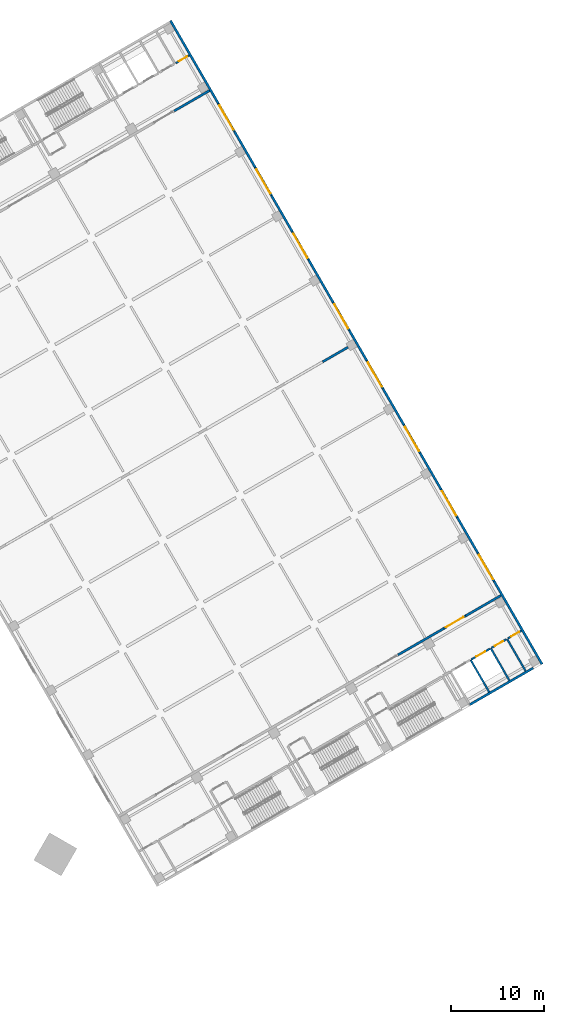
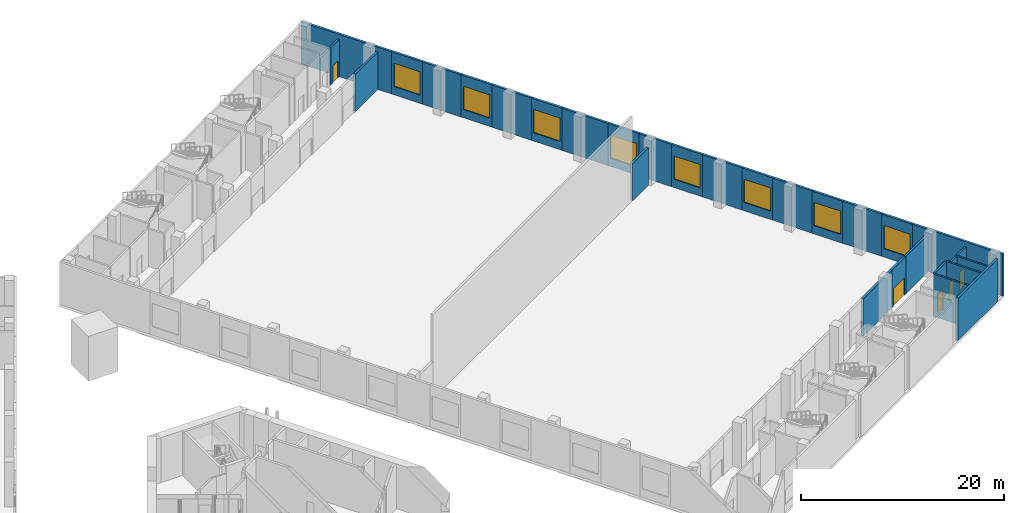
# One storey, part 22 of 35: 30 walls, 8 windows, 5 doors, 13 openings.
"""IFC4 building model written with IfcOpenShell, lengths in metres."""

from ifc_helpers import new_model, si_unit, direction, frame, frame_2d, origin, place, context, subcontext, project, spatial, rectangle, extrude, material, layer, layer_set, type_object, element, fill, save


model = new_model("IFC4")

# Units and contexts
model_context = context("Model", 3, precision=1e-05, world=origin(), true_north=direction((0.0, 1.0)))
body_context = subcontext(model_context, "Body", "Model", "MODEL_VIEW")
ifc_project = project(units=[si_unit("LENGTHUNIT", "METRE"), si_unit("AREAUNIT", "SQUARE_METRE"), si_unit("VOLUMEUNIT", "CUBIC_METRE"), si_unit("PLANEANGLEUNIT", "RADIAN"), si_unit("MASSUNIT", "GRAM", prefix="KILO")], contexts=[model_context])

# Site, building, storey
site_placement = place(None, origin())
site = spatial("IfcSite", under=ifc_project, at=site_placement, CompositionType="ELEMENT")
building_placement = place(site_placement, origin())
building = spatial("IfcBuilding", under=site, at=building_placement, Name="Mestral Congress Tower", CompositionType="ELEMENT")
storey_placement = place(building_placement, frame((0.0, 0.0, 6.0)))
storey = spatial("IfcBuildingStorey", under=building, at=storey_placement, Name="L01", CompositionType="ELEMENT", Elevation=6.0)

# Wall
ifc_material_1 = material(Name="Precast concrete C40/50 with limestone facing", Category="masonry")
ifc_layer_1 = layer(ifc_material_1, 0.25)
ifc_layer_set_1 = layer_set([ifc_layer_1], Name="Precast concrete C40/50 with limestone facing")
wall_type_1 = type_object("IfcWallType", Name="Podium external wall 250", PredefinedType="SOLIDWALL", material=ifc_layer_set_1)
wall_1_placement = place(storey_placement, frame((78.75927734375, 11.19091796875, 0.0), z_axis=(0.0, 0.0, 1.0), x_axis=(0.500001855621, -0.866024332438, 0.0)))
element("IfcWall", 1, at=wall_1_placement, inside=storey, type_object=wall_type_1, Name="L01 external wall", PredefinedType="SOLIDWALL", context=body_context, shape_type="SweptSolid", body=[
    extrude(rectangle(XDim=10.31201171875, YDim=0.25, at=frame_2d((5.156005859375, 0.0))), origin(), (0.0, 0.0, 1.0), 5.10009765625),
])

# Wall, opening, window
wall_2_placement = place(storey_placement, frame((77.00927734375, 14.221923828125, 0.0), z_axis=(0.0, 0.0, 1.0), x_axis=(0.500010275428, -0.866019471182, 0.0)))
wall_2 = element("IfcWall", 2, at=wall_2_placement, inside=storey, type_object=wall_type_1, Name="L01 external wall", PredefinedType="SOLIDWALL", context=body_context, shape_type="SweptSolid", body=[
    extrude(rectangle(XDim=3.5, YDim=0.25, at=frame_2d((1.75, 0.0))), origin(), (0.0, 0.0, 1.0), 5.10009765625),
])
opening_1_placement = place(wall_2_placement, frame((0.25, 0.0, 1.0)))
opening_1 = element("IfcOpeningElement", 3, at=opening_1_placement, cuts=wall_2, Name="Opening PW-3000x2800", PredefinedType="OPENING", context=body_context, shape_type="SweptSolid", body=[
    extrude(rectangle(XDim=3.0, YDim=2.800048828125, at=frame_2d((1.5, 1.39990234375))), frame((0.0, 0.135009765625, 0.0), z_axis=(0.0, -1.0, 0.0), x_axis=(1.0, 0.0, 0.0)), (0.0, 0.0, 1.0), 0.27001953125),
])
ifc_material_2 = material(Name="Aluminium frame, clear double glazing", Category="aluminium")
window_type = type_object("IfcWindowType", Name="Podium window 3000x2800 sill 1000", PartitioningType="SINGLE_PANEL", PredefinedType="WINDOW", material=ifc_material_2)
window_1_placement = place(opening_1_placement, origin())
window_1 = element("IfcWindow", 4, at=window_1_placement, inside=storey, type_object=window_type, Name="Window", OverallHeight=2.800048828125, OverallWidth=3.0, PartitioningType="SINGLE_PANEL", PredefinedType="WINDOW", context=body_context, shape_type="SweptSolid", body=[
    extrude(rectangle(XDim=3.0, YDim=2.800048828125, at=frame_2d((1.5, 1.39990234375))), frame((0.0, 0.030029296875, 0.0), z_axis=(0.0, -1.0, 0.0), x_axis=(1.0, 0.0, 0.0)), (0.0, 0.0, 1.0), 0.06005859375),
])
fill(opening_1, window_1)

# Wall
wall_3_placement = place(storey_placement, frame((74.790283203125, 18.0654296875, 0.0), z_axis=(0.0, 0.0, 1.0), x_axis=(0.499990705068, -0.866030770149, 0.0)))
element("IfcWall", 5, at=wall_3_placement, inside=storey, type_object=wall_type_1, Name="L01 external wall", PredefinedType="SOLIDWALL", context=body_context, shape_type="SweptSolid", body=[
    extrude(rectangle(XDim=4.43798828125, YDim=0.25, at=frame_2d((2.218994140625, 0.0))), origin(), (0.0, 0.0, 1.0), 5.10009765625),
])

# Wall, opening, window
wall_4_placement = place(storey_placement, frame((73.040283203125, 21.0966796875, 0.0), z_axis=(0.0, 0.0, 1.0), x_axis=(0.499980071345, -0.866036909293, 0.0)))
wall_4 = element("IfcWall", 6, at=wall_4_placement, inside=storey, type_object=wall_type_1, Name="L01 external wall", PredefinedType="SOLIDWALL", context=body_context, shape_type="SweptSolid", body=[
    extrude(rectangle(XDim=3.500244140625, YDim=0.25, at=frame_2d((1.75, 0.0))), origin(), (0.0, 0.0, 1.0), 5.10009765625),
])
opening_2_placement = place(wall_4_placement, frame((0.25, 0.0, 1.0)))
opening_2 = element("IfcOpeningElement", 7, at=opening_2_placement, cuts=wall_4, Name="Opening PW-3000x2800", PredefinedType="OPENING", context=body_context, shape_type="SweptSolid", body=[
    extrude(rectangle(XDim=3.0, YDim=2.800048828125, at=frame_2d((1.5, 1.39990234375))), frame((0.0, 0.135009765625, 0.0), z_axis=(0.0, -1.0, 0.0), x_axis=(1.0, 0.0, 0.0)), (0.0, 0.0, 1.0), 0.27001953125),
])
window_2_placement = place(opening_2_placement, origin())
window_2 = element("IfcWindow", 8, at=window_2_placement, inside=storey, type_object=window_type, Name="Window", OverallHeight=2.800048828125, OverallWidth=3.0, PartitioningType="SINGLE_PANEL", PredefinedType="WINDOW", context=body_context, shape_type="SweptSolid", body=[
    extrude(rectangle(XDim=3.0, YDim=2.800048828125, at=frame_2d((1.5, 1.39990234375))), frame((0.0, 0.030029296875, 0.0), z_axis=(0.0, -1.0, 0.0), x_axis=(1.0, 0.0, 0.0)), (0.0, 0.0, 1.0), 0.06005859375),
])
fill(opening_2, window_2)

# Wall
wall_5_placement = place(storey_placement, frame((70.790283203125, 24.99365234375, 0.0), z_axis=(0.0, 0.0, 1.0), x_axis=(0.500013631625, -0.866017533419, 0.0)))
element("IfcWall", 9, at=wall_5_placement, inside=storey, type_object=wall_type_1, Name="L01 external wall", PredefinedType="SOLIDWALL", context=body_context, shape_type="SweptSolid", body=[
    extrude(rectangle(XDim=4.499755859375, YDim=0.25, at=frame_2d((2.25, 0.0))), origin(), (0.0, 0.0, 1.0), 5.10009765625),
])

# Wall, opening, window
wall_6_placement = place(storey_placement, frame((69.040283203125, 28.02490234375, 0.0), z_axis=(0.0, 0.0, 1.0), x_axis=(0.499980071345, -0.866036909293, 0.0)))
wall_6 = element("IfcWall", 10, at=wall_6_placement, inside=storey, type_object=wall_type_1, Name="L01 external wall", PredefinedType="SOLIDWALL", context=body_context, shape_type="SweptSolid", body=[
    extrude(rectangle(XDim=3.500244140625, YDim=0.25, at=frame_2d((1.75, 0.0))), origin(), (0.0, 0.0, 1.0), 5.10009765625),
])
opening_3_placement = place(wall_6_placement, frame((0.25, 0.0, 1.0)))
opening_3 = element("IfcOpeningElement", 11, at=opening_3_placement, cuts=wall_6, Name="Opening PW-3000x2800", PredefinedType="OPENING", context=body_context, shape_type="SweptSolid", body=[
    extrude(rectangle(XDim=3.0, YDim=2.800048828125, at=frame_2d((1.5, 1.39990234375))), frame((0.0, 0.135009765625, 0.0), z_axis=(0.0, -1.0, 0.0), x_axis=(1.0, 0.0, 0.0)), (0.0, 0.0, 1.0), 0.27001953125),
])
window_3_placement = place(opening_3_placement, origin())
window_3 = element("IfcWindow", 12, at=window_3_placement, inside=storey, type_object=window_type, Name="Window", OverallHeight=2.800048828125, OverallWidth=3.0, PartitioningType="SINGLE_PANEL", PredefinedType="WINDOW", context=body_context, shape_type="SweptSolid", body=[
    extrude(rectangle(XDim=3.0, YDim=2.800048828125, at=frame_2d((1.5, 1.39990234375))), frame((0.0, 0.030029296875, 0.0), z_axis=(0.0, -1.0, 0.0), x_axis=(1.0, 0.0, 0.0)), (0.0, 0.0, 1.0), 0.06005859375),
])
fill(opening_3, window_3)

# Wall
wall_7_placement = place(storey_placement, frame((66.790283203125, 31.921875, 0.0), z_axis=(0.0, 0.0, 1.0), x_axis=(0.500013631625, -0.866017533419, 0.0)))
element("IfcWall", 13, at=wall_7_placement, inside=storey, type_object=wall_type_1, Name="L01 external wall", PredefinedType="SOLIDWALL", context=body_context, shape_type="SweptSolid", body=[
    extrude(rectangle(XDim=4.499755859375, YDim=0.25, at=frame_2d((2.25, 0.0))), origin(), (0.0, 0.0, 1.0), 5.10009765625),
])

# Wall, opening, window
wall_8_placement = place(storey_placement, frame((65.040283203125, 34.952880859375, 0.0), z_axis=(0.0, 0.0, 1.0), x_axis=(0.500010275428, -0.866019471182, 0.0)))
wall_8 = element("IfcWall", 14, at=wall_8_placement, inside=storey, type_object=wall_type_1, Name="L01 external wall", PredefinedType="SOLIDWALL", context=body_context, shape_type="SweptSolid", body=[
    extrude(rectangle(XDim=3.5, YDim=0.25, at=frame_2d((1.75, 0.0))), origin(), (0.0, 0.0, 1.0), 5.10009765625),
])
opening_4_placement = place(wall_8_placement, frame((0.25, 0.0, 1.0)))
opening_4 = element("IfcOpeningElement", 15, at=opening_4_placement, cuts=wall_8, Name="Opening PW-3000x2800", PredefinedType="OPENING", context=body_context, shape_type="SweptSolid", body=[
    extrude(rectangle(XDim=3.0, YDim=2.800048828125, at=frame_2d((1.5, 1.39990234375))), frame((0.0, 0.135009765625, 0.0), z_axis=(0.0, -1.0, 0.0), x_axis=(1.0, 0.0, 0.0)), (0.0, 0.0, 1.0), 0.27001953125),
])
window_4_placement = place(opening_4_placement, origin())
window_4 = element("IfcWindow", 16, at=window_4_placement, inside=storey, type_object=window_type, Name="Window", OverallHeight=2.800048828125, OverallWidth=3.0, PartitioningType="SINGLE_PANEL", PredefinedType="WINDOW", context=body_context, shape_type="SweptSolid", body=[
    extrude(rectangle(XDim=3.0, YDim=2.800048828125, at=frame_2d((1.5, 1.39990234375))), frame((0.0, 0.030029296875, 0.0), z_axis=(0.0, -1.0, 0.0), x_axis=(1.0, 0.0, 0.0)), (0.0, 0.0, 1.0), 0.06005859375),
])
fill(opening_4, window_4)

# Wall
wall_9_placement = place(storey_placement, frame((63.171875, 38.189208984375, 0.0), z_axis=(0.0, 0.0, 1.0), x_axis=(0.499982597115, -0.866035451112, 0.0)))
element("IfcWall", 17, at=wall_9_placement, inside=storey, type_object=wall_type_1, Name="L01 external wall", PredefinedType="SOLIDWALL", context=body_context, shape_type="SweptSolid", body=[
    extrude(rectangle(XDim=3.737060546875, YDim=0.25, at=frame_2d((1.86865234375, 0.0))), origin(), (0.0, 0.0, 1.0), 5.10009765625),
])

# Wall, opening, window
wall_10_placement = place(storey_placement, frame((61.421875, 41.220458984375, 0.0), z_axis=(0.0, 0.0, 1.0), x_axis=(0.499980071345, -0.866036909293, 0.0)))
wall_10 = element("IfcWall", 18, at=wall_10_placement, inside=storey, type_object=wall_type_1, Name="L01 external wall", PredefinedType="SOLIDWALL", context=body_context, shape_type="SweptSolid", body=[
    extrude(rectangle(XDim=3.500244140625, YDim=0.25, at=frame_2d((1.75, 0.0))), origin(), (0.0, 0.0, 1.0), 5.10009765625),
])
opening_5_placement = place(wall_10_placement, frame((0.25, 0.0, 1.0)))
opening_5 = element("IfcOpeningElement", 19, at=opening_5_placement, cuts=wall_10, Name="Opening PW-3000x2800", PredefinedType="OPENING", context=body_context, shape_type="SweptSolid", body=[
    extrude(rectangle(XDim=3.0, YDim=2.800048828125, at=frame_2d((1.5, 1.39990234375))), frame((0.0, 0.135009765625, 0.0), z_axis=(0.0, -1.0, 0.0), x_axis=(1.0, 0.0, 0.0)), (0.0, 0.0, 1.0), 0.27001953125),
])
window_5_placement = place(opening_5_placement, origin())
window_5 = element("IfcWindow", 20, at=window_5_placement, inside=storey, type_object=window_type, Name="Window", OverallHeight=2.800048828125, OverallWidth=3.0, PartitioningType="SINGLE_PANEL", PredefinedType="WINDOW", context=body_context, shape_type="SweptSolid", body=[
    extrude(rectangle(XDim=3.0, YDim=2.800048828125, at=frame_2d((1.5, 1.39990234375))), frame((0.0, 0.030029296875, 0.0), z_axis=(0.0, -1.0, 0.0), x_axis=(1.0, 0.0, 0.0)), (0.0, 0.0, 1.0), 0.06005859375),
])
fill(opening_5, window_5)

# Wall
wall_11_placement = place(storey_placement, frame((58.790283203125, 45.7783203125, 0.0), z_axis=(0.0, 0.0, 1.0), x_axis=(0.50001558016, -0.866016408388, 0.0)))
element("IfcWall", 21, at=wall_11_placement, inside=storey, type_object=wall_type_1, Name="L01 external wall", PredefinedType="SOLIDWALL", context=body_context, shape_type="SweptSolid", body=[
    extrude(rectangle(XDim=5.262939453125, YDim=0.25, at=frame_2d((2.63134765625, 0.0))), origin(), (0.0, 0.0, 1.0), 5.10009765625),
])

# Wall, opening, window
wall_12_placement = place(storey_placement, frame((57.040283203125, 48.809326171875, 0.0), z_axis=(0.0, 0.0, 1.0), x_axis=(0.500010275428, -0.866019471182, 0.0)))
wall_12 = element("IfcWall", 22, at=wall_12_placement, inside=storey, type_object=wall_type_1, Name="L01 external wall", PredefinedType="SOLIDWALL", context=body_context, shape_type="SweptSolid", body=[
    extrude(rectangle(XDim=3.5, YDim=0.25, at=frame_2d((1.75, 0.0))), origin(), (0.0, 0.0, 1.0), 5.10009765625),
])
opening_6_placement = place(wall_12_placement, frame((0.25, 0.0, 1.0)))
opening_6 = element("IfcOpeningElement", 23, at=opening_6_placement, cuts=wall_12, Name="Opening PW-3000x2800", PredefinedType="OPENING", context=body_context, shape_type="SweptSolid", body=[
    extrude(rectangle(XDim=3.0, YDim=2.800048828125, at=frame_2d((1.5, 1.39990234375))), frame((0.0, 0.135009765625, 0.0), z_axis=(0.0, -1.0, 0.0), x_axis=(1.0, 0.0, 0.0)), (0.0, 0.0, 1.0), 0.27001953125),
])
window_6_placement = place(opening_6_placement, origin())
window_6 = element("IfcWindow", 24, at=window_6_placement, inside=storey, type_object=window_type, Name="Window", OverallHeight=2.800048828125, OverallWidth=3.0, PartitioningType="SINGLE_PANEL", PredefinedType="WINDOW", context=body_context, shape_type="SweptSolid", body=[
    extrude(rectangle(XDim=3.0, YDim=2.800048828125, at=frame_2d((1.5, 1.39990234375))), frame((0.0, 0.030029296875, 0.0), z_axis=(0.0, -1.0, 0.0), x_axis=(1.0, 0.0, 0.0)), (0.0, 0.0, 1.0), 0.06005859375),
])
fill(opening_6, window_6)

# Wall
wall_13_placement = place(storey_placement, frame((54.790283203125, 52.70654296875, 0.0), z_axis=(0.0, 0.0, 1.0), x_axis=(0.499990139034, -0.866031096941, 0.0)))
element("IfcWall", 25, at=wall_13_placement, inside=storey, type_object=wall_type_1, Name="L01 external wall", PredefinedType="SOLIDWALL", context=body_context, shape_type="SweptSolid", body=[
    extrude(rectangle(XDim=4.5, YDim=0.25, at=frame_2d((2.25, 0.0))), origin(), (0.0, 0.0, 1.0), 5.10009765625),
])

# Wall, opening, window
wall_14_placement = place(storey_placement, frame((53.040283203125, 55.737548828125, 0.0), z_axis=(0.0, 0.0, 1.0), x_axis=(0.500010275428, -0.866019471182, 0.0)))
wall_14 = element("IfcWall", 26, at=wall_14_placement, inside=storey, type_object=wall_type_1, Name="L01 external wall", PredefinedType="SOLIDWALL", context=body_context, shape_type="SweptSolid", body=[
    extrude(rectangle(XDim=3.5, YDim=0.25, at=frame_2d((1.75, 0.0))), origin(), (0.0, 0.0, 1.0), 5.10009765625),
])
opening_7_placement = place(wall_14_placement, frame((0.25, 0.0, 1.0)))
opening_7 = element("IfcOpeningElement", 27, at=opening_7_placement, cuts=wall_14, Name="Opening PW-3000x2800", PredefinedType="OPENING", context=body_context, shape_type="SweptSolid", body=[
    extrude(rectangle(XDim=3.0, YDim=2.800048828125, at=frame_2d((1.5, 1.39990234375))), frame((0.0, 0.135009765625, 0.0), z_axis=(0.0, -1.0, 0.0), x_axis=(1.0, 0.0, 0.0)), (0.0, 0.0, 1.0), 0.27001953125),
])
window_7_placement = place(opening_7_placement, origin())
window_7 = element("IfcWindow", 28, at=window_7_placement, inside=storey, type_object=window_type, Name="Window", OverallHeight=2.800048828125, OverallWidth=3.0, PartitioningType="SINGLE_PANEL", PredefinedType="WINDOW", context=body_context, shape_type="SweptSolid", body=[
    extrude(rectangle(XDim=3.0, YDim=2.800048828125, at=frame_2d((1.5, 1.39990234375))), frame((0.0, 0.030029296875, 0.0), z_axis=(0.0, -1.0, 0.0), x_axis=(1.0, 0.0, 0.0)), (0.0, 0.0, 1.0), 0.06005859375),
])
fill(opening_7, window_7)

# Wall
wall_15_placement = place(storey_placement, frame((50.8212890625, 59.5810546875, 0.0), z_axis=(0.0, 0.0, 1.0), x_axis=(0.499990705068, -0.866030770149, 0.0)))
element("IfcWall", 29, at=wall_15_placement, inside=storey, type_object=wall_type_1, Name="L01 external wall", PredefinedType="SOLIDWALL", context=body_context, shape_type="SweptSolid", body=[
    extrude(rectangle(XDim=4.43798828125, YDim=0.25, at=frame_2d((2.218994140625, 0.0))), origin(), (0.0, 0.0, 1.0), 5.10009765625),
])

# Wall, opening, window
wall_16_placement = place(storey_placement, frame((49.0712890625, 62.612060546875, 0.0), z_axis=(0.0, 0.0, 1.0), x_axis=(0.500010275428, -0.866019471182, 0.0)))
wall_16 = element("IfcWall", 30, at=wall_16_placement, inside=storey, type_object=wall_type_1, Name="L01 external wall", PredefinedType="SOLIDWALL", context=body_context, shape_type="SweptSolid", body=[
    extrude(rectangle(XDim=3.5, YDim=0.25, at=frame_2d((1.75, 0.0))), origin(), (0.0, 0.0, 1.0), 5.10009765625),
])
opening_8_placement = place(wall_16_placement, frame((0.25, 0.0, 1.0)))
opening_8 = element("IfcOpeningElement", 31, at=opening_8_placement, cuts=wall_16, Name="Opening PW-3000x2800", PredefinedType="OPENING", context=body_context, shape_type="SweptSolid", body=[
    extrude(rectangle(XDim=3.0, YDim=2.800048828125, at=frame_2d((1.5, 1.39990234375))), frame((0.0, 0.135009765625, 0.0), z_axis=(0.0, -1.0, 0.0), x_axis=(1.0, 0.0, 0.0)), (0.0, 0.0, 1.0), 0.27001953125),
])
window_8_placement = place(opening_8_placement, origin())
window_8 = element("IfcWindow", 32, at=window_8_placement, inside=storey, type_object=window_type, Name="Window", OverallHeight=2.800048828125, OverallWidth=3.0, PartitioningType="SINGLE_PANEL", PredefinedType="WINDOW", context=body_context, shape_type="SweptSolid", body=[
    extrude(rectangle(XDim=3.0, YDim=2.800048828125, at=frame_2d((1.5, 1.39990234375))), frame((0.0, 0.030029296875, 0.0), z_axis=(0.0, -1.0, 0.0), x_axis=(1.0, 0.0, 0.0)), (0.0, 0.0, 1.0), 0.06005859375),
])
fill(opening_8, window_8)

# Walls
wall_17_placement = place(storey_placement, frame((43.915283203125, 71.54248046875, 0.0), z_axis=(0.0, 0.0, 1.0), x_axis=(0.500001855621, -0.866024332438, 0.0)))
element("IfcWall", 33, at=wall_17_placement, inside=storey, type_object=wall_type_1, Name="L01 external wall", PredefinedType="SOLIDWALL", context=body_context, shape_type="SweptSolid", body=[
    extrude(rectangle(XDim=10.31201171875, YDim=0.25, at=frame_2d((5.156005859375, 0.0))), origin(), (0.0, 0.0, 1.0), 5.10009765625),
])
wall_18_placement = place(storey_placement, frame((82.965087890625, 1.856201171875, 0.0), z_axis=(0.0, 0.0, 1.0), x_axis=(-0.866026562566, -0.499997992926, 0.0)))
element("IfcWall", 34, at=wall_18_placement, inside=storey, type_object=wall_type_1, Name="L01 external wall", PredefinedType="SOLIDWALL", context=body_context, shape_type="SweptSolid", body=[
    extrude(rectangle(XDim=7.89990234375, YDim=0.25, at=frame_2d((3.949951171875, 0.0))), origin(), (0.0, 0.0, 1.0), 5.10009765625),
])
ifc_material_3 = material(Name="Masonry block wall", Category="masonry")
ifc_layer_2 = layer(ifc_material_3, 0.25)
ifc_layer_set_2 = layer_set([ifc_layer_2], Name="Masonry block wall")
wall_type_2 = type_object("IfcWallType", Name="Podium hall wall 250 EI 180", PredefinedType="SOLIDWALL", material=ifc_layer_set_2)
wall_19_placement = place(storey_placement, frame((68.409423828125, 3.267578125, 0.0), z_axis=(0.0, 0.0, 1.0), x_axis=(0.866033658841, 0.49998570155, 0.0)))
element("IfcWall", 35, at=wall_19_placement, inside=storey, type_object=wall_type_2, Name="L01 partition", PredefinedType="SOLIDWALL", context=body_context, shape_type="SweptSolid", body=[
    extrude(rectangle(XDim=5.699951171875, YDim=0.25, at=frame_2d((2.85009765625, 0.0))), origin(), (0.0, 0.0, 1.0), 4.5),
])

# Wall, opening, door
wall_20_placement = place(storey_placement, frame((75.68408203125, 7.467529296875, 0.0), z_axis=(0.0, 0.0, 1.0), x_axis=(-0.866019956843, -0.50000943426, 0.0)))
wall_20 = element("IfcWall", 36, at=wall_20_placement, inside=storey, type_object=wall_type_2, Name="L01 partition", PredefinedType="SOLIDWALL", context=body_context, shape_type="SweptSolid", body=[
    extrude(rectangle(XDim=2.7001953125, YDim=0.25, at=frame_2d((1.35009765625, 0.0))), origin(), (0.0, 0.0, 1.0), 4.5),
])
opening_9_placement = place(wall_20_placement, frame((0.25, 0.0, 0.0)))
opening_9 = element("IfcOpeningElement", 37, at=opening_9_placement, cuts=wall_20, Name="Opening P01-021", PredefinedType="OPENING", context=body_context, shape_type="SweptSolid", body=[
    extrude(rectangle(XDim=2.199951171875, YDim=2.10009765625, at=frame_2d((1.10009765625, 1.050048828125))), frame((0.0, 0.135009765625, 0.0), z_axis=(0.0, -1.0, 0.0), x_axis=(1.0, 0.0, 0.0)), (0.0, 0.0, 1.0), 0.27001953125),
])
ifc_material_4 = material(Name="Fire-rated steel door set", Category="steel")
door_type_1 = type_object("IfcDoorType", Name="Podium hall door 2200x2100 EI2 90-C5", OperationType="DOUBLE_DOOR_SINGLE_SWING", PredefinedType="DOOR", material=ifc_material_4)
door_1_placement = place(opening_9_placement, origin())
door_1 = element("IfcDoor", 38, at=door_1_placement, inside=storey, type_object=door_type_1, Name="Door P01-021", OperationType="DOUBLE_DOOR_SINGLE_SWING", OverallHeight=2.10009765625, OverallWidth=2.199951171875, PredefinedType="DOOR", context=body_context, shape_type="SweptSolid", body=[
    extrude(rectangle(XDim=2.199951171875, YDim=2.10009765625, at=frame_2d((1.10009765625, 1.050048828125))), frame((0.0, 0.02490234375, 0.0), z_axis=(0.0, -1.0, 0.0), x_axis=(1.0, 0.0, 0.0)), (0.0, 0.0, 1.0), 0.050048828125),
])
fill(opening_9, door_1)

# Walls
wall_21_placement = place(storey_placement, frame((75.68408203125, 7.467529296875, 0.0), z_axis=(0.0, 0.0, 1.0), x_axis=(0.866018331238, 0.50001224981, 0.0)))
element("IfcWall", 39, at=wall_21_placement, inside=storey, type_object=wall_type_2, Name="L01 partition", PredefinedType="SOLIDWALL", context=body_context, shape_type="SweptSolid", body=[
    extrude(rectangle(XDim=4.39990234375, YDim=0.25, at=frame_2d((2.199951171875, 0.0))), origin(), (0.0, 0.0, 1.0), 4.5),
])
wall_22_placement = place(storey_placement, frame((60.299560546875, 34.81396484375, 0.0), z_axis=(0.0, 0.0, 1.0), x_axis=(0.866035871367, 0.499981869177, 0.0)))
element("IfcWall", 40, at=wall_22_placement, inside=storey, type_object=wall_type_2, Name="L01 partition", PredefinedType="SOLIDWALL", context=body_context, shape_type="SweptSolid", body=[
    extrude(rectangle(XDim=3.14990234375, YDim=0.25, at=frame_2d((1.574951171875, 0.0))), origin(), (0.0, 0.0, 1.0), 4.5),
])
wall_23_placement = place(storey_placement, frame((44.30908203125, 61.810546875, 0.0), z_axis=(0.0, 0.0, 1.0), x_axis=(0.866018331238, 0.50001224981, 0.0)))
element("IfcWall", 41, at=wall_23_placement, inside=storey, type_object=wall_type_2, Name="L01 partition", PredefinedType="SOLIDWALL", context=body_context, shape_type="SweptSolid", body=[
    extrude(rectangle(XDim=4.39990234375, YDim=0.25, at=frame_2d((2.199951171875, 0.0))), origin(), (0.0, 0.0, 1.0), 4.5),
])
ifc_layer_3 = layer(ifc_material_3, 0.199951171875)
ifc_layer_set_3 = layer_set([ifc_layer_3], Name="Masonry block wall")
wall_type_3 = type_object("IfcWallType", Name="Podium stair enclosure wall 200 EI 120 load-bearing", PredefinedType="SOLIDWALL", material=ifc_layer_set_3)
for number, where, z_axis, x_axis, name in (
    (42, (78.22607421875, -0.735595703125, 0.0), (0.0, 0.0, 1.0), (-0.49999894854, 0.866026010844, 0.0), "L01 partition"),
    (43, (80.39111328125, 0.514404296875, 0.0), (0.0, 0.0, 1.0), (-0.49999894854, 0.866026010844, 0.0), "L01 partition"),
):
    element("IfcWall", number, at=place(storey_placement, frame(where, z_axis=z_axis, x_axis=x_axis)), inside=storey, type_object=wall_type_3, Name=name, PredefinedType="SOLIDWALL", context=body_context, shape_type="SweptSolid", body=[
        extrude(rectangle(XDim=4.0, YDim=0.199951171875, at=frame_2d((2.0, 0.0))), origin(), (0.0, 0.0, 1.0), 5.10009765625),
    ])

# Wall, opening, door
wall_24_placement = place(storey_placement, frame((78.304443359375, 3.9287109375, 0.0), z_axis=(0.0, 0.0, 1.0), x_axis=(-0.865980515519, -0.500077740698, 0.0)))
wall_24 = element("IfcWall", 44, at=wall_24_placement, inside=storey, type_object=wall_type_3, Name="L01 partition", PredefinedType="SOLIDWALL", context=body_context, shape_type="SweptSolid", body=[
    extrude(rectangle(XDim=2.300048828125, YDim=0.199951171875, at=frame_2d((1.14990234375, 0.0))), origin(), (0.0, 0.0, 1.0), 5.10009765625),
])
opening_10_placement = place(wall_24_placement, frame((0.60009765625, 0.0, 0.0)))
opening_10 = element("IfcOpeningElement", 45, at=opening_10_placement, cuts=wall_24, Name="Opening P01-008", PredefinedType="OPENING", context=body_context, shape_type="SweptSolid", body=[
    extrude(rectangle(XDim=1.10009765625, YDim=2.10009765625, at=frame_2d((0.550048828125, 1.050048828125))), frame((0.0, 0.10986328125, 0.0), z_axis=(0.0, -1.0, 0.0), x_axis=(1.0, 0.0, 0.0)), (0.0, 0.0, 1.0), 0.219970703125),
])
door_type_2 = type_object("IfcDoorType", Name="Podium lift landing door 1100x2100 EI2 60-C5", OperationType="DOUBLE_DOOR_SLIDING", PredefinedType="DOOR", material=ifc_material_4)
door_2_placement = place(opening_10_placement, origin())
door_2 = element("IfcDoor", 46, at=door_2_placement, inside=storey, type_object=door_type_2, Name="Door P01-008", OperationType="DOUBLE_DOOR_SLIDING", OverallHeight=2.10009765625, OverallWidth=1.10009765625, PredefinedType="DOOR", context=body_context, shape_type="SweptSolid", body=[
    extrude(rectangle(XDim=1.10009765625, YDim=2.10009765625, at=frame_2d((0.550048828125, 1.050048828125))), frame((0.0, 0.02490234375, 0.0), z_axis=(0.0, -1.0, 0.0), x_axis=(1.0, 0.0, 0.0)), (0.0, 0.0, 1.0), 0.050048828125),
])
fill(opening_10, door_2)

# Wall
ifc_material_5 = material(Name="Fire-rated board partition")
ifc_layer_4 = layer(ifc_material_5, 0.199951171875)
ifc_layer_set_4 = layer_set([ifc_layer_4], Name="Fire-rated board partition")
wall_type_4 = type_object("IfcWallType", Name="Podium vestibule wall 200 EI 120", PredefinedType="PARTITIONING", material=ifc_layer_set_4)
wall_25_placement = place(storey_placement, frame((82.144775390625, 1.527099609375, 0.0), z_axis=(0.0, 0.0, 1.0), x_axis=(-0.49999894854, 0.866026010844, 0.0)))
element("IfcWall", 47, at=wall_25_placement, inside=storey, type_object=wall_type_4, Name="L01 partition", PredefinedType="PARTITIONING", context=body_context, shape_type="SweptSolid", body=[
    extrude(rectangle(XDim=4.0, YDim=0.199951171875, at=frame_2d((2.0, 0.0))), origin(), (0.0, 0.0, 1.0), 4.5),
])

# Wall, opening, door
wall_26_placement = place(storey_placement, frame((80.05810546875, 4.941162109375, 0.0), z_axis=(0.0, 0.0, 1.0), x_axis=(-0.865978377894, -0.500081442387, 0.0)))
wall_26 = element("IfcWall", 48, at=wall_26_placement, inside=storey, type_object=wall_type_4, Name="L01 partition", PredefinedType="PARTITIONING", context=body_context, shape_type="SweptSolid", body=[
    extrude(rectangle(XDim=1.824951171875, YDim=0.199951171875, at=frame_2d((0.91259765625, 0.0))), origin(), (0.0, 0.0, 1.0), 4.5),
])
opening_11_placement = place(wall_26_placement, frame((0.41259765625, 0.0, 0.0)))
opening_11 = element("IfcOpeningElement", 49, at=opening_11_placement, cuts=wall_26, Name="Opening P01-028", PredefinedType="OPENING", context=body_context, shape_type="SweptSolid", body=[
    extrude(rectangle(XDim=1.0, YDim=2.10009765625, at=frame_2d((0.5, 1.050048828125))), frame((0.0, 0.10986328125, 0.0), z_axis=(0.0, -1.0, 0.0), x_axis=(1.0, 0.0, 0.0)), (0.0, 0.0, 1.0), 0.219970703125),
])
door_type_3 = type_object("IfcDoorType", Name="Podium room door 1000x2100 EI2 30-C5", OperationType="SINGLE_SWING_LEFT", PredefinedType="DOOR", material=ifc_material_4)
door_3_placement = place(opening_11_placement, origin())
door_3 = element("IfcDoor", 50, at=door_3_placement, inside=storey, type_object=door_type_3, Name="Door P01-028", OperationType="SINGLE_SWING_LEFT", OverallHeight=2.10009765625, OverallWidth=1.0, PredefinedType="DOOR", context=body_context, shape_type="SweptSolid", body=[
    extrude(rectangle(XDim=1.0, YDim=2.10009765625, at=frame_2d((0.5, 1.050048828125))), frame((0.0, 0.02490234375, 0.0), z_axis=(0.0, -1.0, 0.0), x_axis=(1.0, 0.0, 0.0)), (0.0, 0.0, 1.0), 0.050048828125),
])
fill(opening_11, door_3)

wall_27_placement = place(storey_placement, frame((81.681884765625, 5.878662109375, 0.0), z_axis=(0.0, 0.0, 1.0), x_axis=(-0.865964676353, -0.500105168249, 0.0)))
wall_27 = element("IfcWall", 51, at=wall_27_placement, inside=storey, type_object=wall_type_4, Name="L01 partition", PredefinedType="PARTITIONING", context=body_context, shape_type="SweptSolid", body=[
    extrude(rectangle(XDim=1.675048828125, YDim=0.199951171875, at=frame_2d((0.83740234375, 0.0))), origin(), (0.0, 0.0, 1.0), 4.5),
])
opening_12_placement = place(wall_27_placement, frame((0.262451171875, 0.0, 0.0)))
opening_12 = element("IfcOpeningElement", 52, at=opening_12_placement, cuts=wall_27, Name="Opening P01-029", PredefinedType="OPENING", context=body_context, shape_type="SweptSolid", body=[
    extrude(rectangle(XDim=1.0, YDim=2.10009765625, at=frame_2d((0.5, 1.050048828125))), frame((0.0, 0.10986328125, 0.0), z_axis=(0.0, -1.0, 0.0), x_axis=(1.0, 0.0, 0.0)), (0.0, 0.0, 1.0), 0.219970703125),
])
door_4_placement = place(opening_12_placement, origin())
door_4 = element("IfcDoor", 53, at=door_4_placement, inside=storey, type_object=door_type_3, Name="Door P01-029", OperationType="SINGLE_SWING_LEFT", OverallHeight=2.10009765625, OverallWidth=1.0, PredefinedType="DOOR", context=body_context, shape_type="SweptSolid", body=[
    extrude(rectangle(XDim=1.0, YDim=2.10009765625, at=frame_2d((0.5, 1.050048828125))), frame((0.0, 0.02490234375, 0.0), z_axis=(0.0, -1.0, 0.0), x_axis=(1.0, 0.0, 0.0)), (0.0, 0.0, 1.0), 0.050048828125),
])
fill(opening_12, door_4)

wall_28_placement = place(storey_placement, frame((44.4814453125, 66.9619140625, 0.0), z_axis=(0.0, 0.0, 1.0), x_axis=(0.866027799164, 0.499995851058, 0.0)))
wall_28 = element("IfcWall", 54, at=wall_28_placement, inside=storey, type_object=wall_type_4, Name="L01 partition", PredefinedType="PARTITIONING", context=body_context, shape_type="SweptSolid", body=[
    extrude(rectangle(XDim=1.6748046875, YDim=0.199951171875, at=frame_2d((0.83740234375, 0.0))), origin(), (0.0, 0.0, 1.0), 4.5),
])
opening_13_placement = place(wall_28_placement, frame((0.41259765625, 0.0, 0.0)))
opening_13 = element("IfcOpeningElement", 55, at=opening_13_placement, cuts=wall_28, Name="Opening P01-032", PredefinedType="OPENING", context=body_context, shape_type="SweptSolid", body=[
    extrude(rectangle(XDim=1.0, YDim=2.10009765625, at=frame_2d((0.5, 1.050048828125))), frame((0.0, 0.10986328125, 0.0), z_axis=(0.0, -1.0, 0.0), x_axis=(1.0, 0.0, 0.0)), (0.0, 0.0, 1.0), 0.219970703125),
])
door_5_placement = place(opening_13_placement, origin())
door_5 = element("IfcDoor", 56, at=door_5_placement, inside=storey, type_object=door_type_3, Name="Door P01-032", OperationType="SINGLE_SWING_LEFT", OverallHeight=2.10009765625, OverallWidth=1.0, PredefinedType="DOOR", context=body_context, shape_type="SweptSolid", body=[
    extrude(rectangle(XDim=1.0, YDim=2.10009765625, at=frame_2d((0.5, 1.050048828125))), frame((0.0, 0.02490234375, 0.0), z_axis=(0.0, -1.0, 0.0), x_axis=(1.0, 0.0, 0.0)), (0.0, 0.0, 1.0), 0.050048828125),
])
fill(opening_13, door_5)

save(model, "model.ifc")
